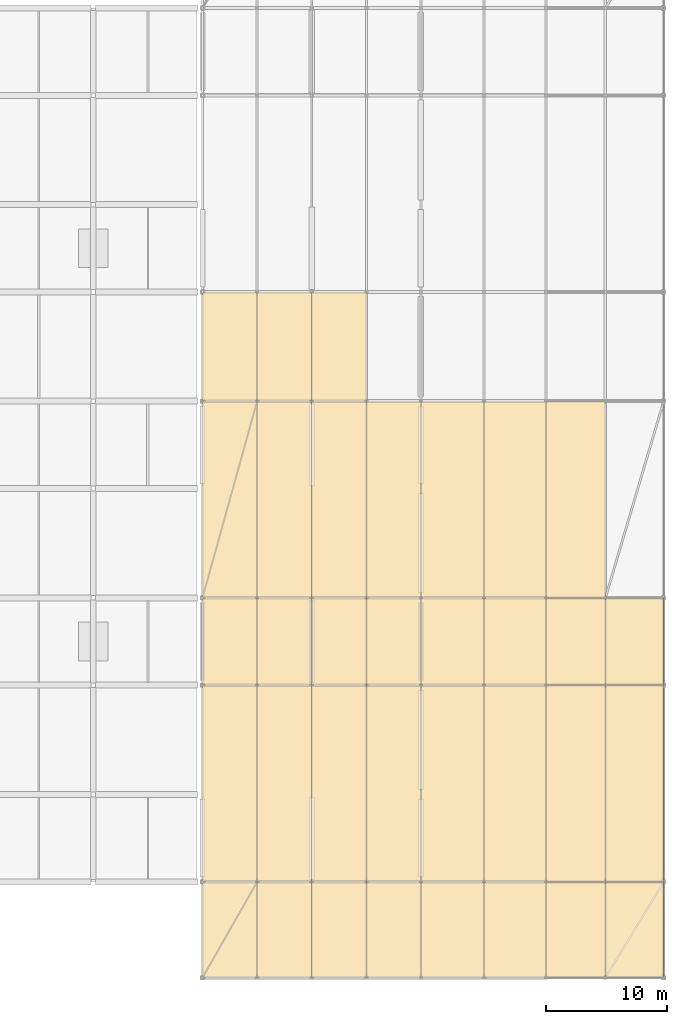
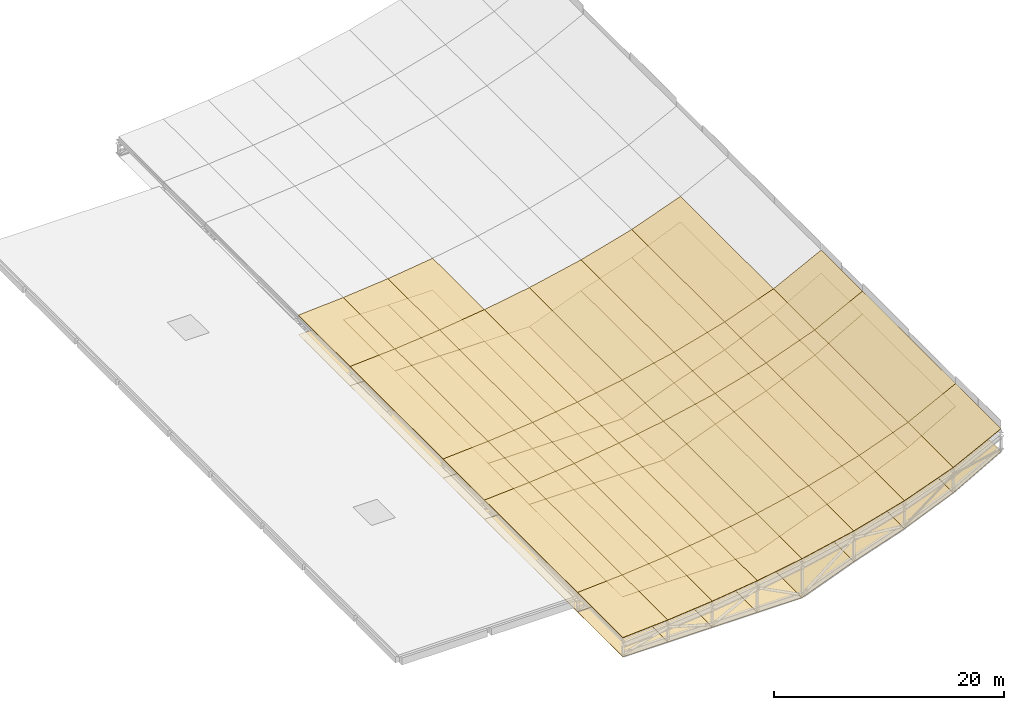
# One storey, part 23 of 24: 68 coverings, 2 elements without a shape of their own.
"""IFC4 building model written with IfcOpenShell, lengths in metres."""

from ifc_helpers import new_model, si_unit, direction, frame, origin, place, context, subcontext, project, spatial, polyline, outline, extrude, material, layer, layer_set, type_object, element, aggregate, save


model = new_model("IFC4")

# Units and contexts
model_context = context("Model", 3, precision=1e-05, world=origin(), true_north=direction((0.0, 1.0)))
body_context = subcontext(model_context, "Body", "Model", "MODEL_VIEW")
ifc_project = project(units=[si_unit("LENGTHUNIT", "METRE"), si_unit("AREAUNIT", "SQUARE_METRE"), si_unit("VOLUMEUNIT", "CUBIC_METRE"), si_unit("PLANEANGLEUNIT", "RADIAN"), si_unit("MASSUNIT", "GRAM", prefix="KILO"), si_unit("THERMODYNAMICTEMPERATUREUNIT", "KELVIN"), si_unit("POWERUNIT", "WATT")], contexts=[model_context])

# Site, building, storey
site_placement = place(None, origin())
site = spatial("IfcSite", under=ifc_project, at=site_placement, CompositionType="ELEMENT")
building_placement = place(site_placement, origin())
building = spatial("IfcBuilding", under=site, at=building_placement, Name="Sindhuravela Promenade Stadium", CompositionType="ELEMENT")
storey_placement = place(building_placement, frame((0.0, 0.0, 28.800048828125)))
storey = spatial("IfcBuildingStorey", under=building, at=storey_placement, Name="RF", CompositionType="ELEMENT", Elevation=28.800048828125)

# Roof, coverings
ifc_material_1 = material(Name="Standing-seam zinc-aluminium roof sheet", Category="aluminium")
roof_type = type_object("IfcRoofType", Name="RF-BARREL-W", PredefinedType="BARREL_ROOF", material=ifc_material_1)
roof_1_placement = place(storey_placement, origin())
roof_1 = element("IfcRoof", 1, at=roof_1_placement, inside=storey, type_object=roof_type, Name="Cantilevered stand roof assembly W-1", PredefinedType="BARREL_ROOF")
ifc_layer_1 = layer(ifc_material_1, 0.044921875)
ifc_layer_set_1 = layer_set([ifc_layer_1], Name="Standing-seam zinc-aluminium roof sheet")
covering_type_1 = type_object("IfcCoveringType", Name="CV-ROOF-W", PredefinedType="ROOFING", material=ifc_layer_set_1)
covering_1_placement = place(storey_placement, frame((18.0, 37.10009765625, 0.349853515625), z_axis=(-0.06507444958967683, 0.0, 0.9978804116779729), x_axis=(0.0, 1.0, 0.0)))
covering_1 = element("IfcCovering", 2, at=covering_1_placement, type_object=covering_type_1, Name="Standing-seam roof covering W bay 1.1", PredefinedType="ROOFING", context=body_context, shape_type="SweptSolid", body=[
    extrude(outline(polyline([(0.0, 0.0), (0.0, -4.509558407337692), (7.89990234375, -4.509558407337692), (7.89990234375, 0.0), (0.0, 0.0)])), origin(), (0.0, 0.0, -1.0), 0.044921875),
])
covering_2_placement = place(storey_placement, frame((22.5, 37.10009765625, 0.643310546875), z_axis=(-0.09628450096905211, 0.0, 0.9953538541007115), x_axis=(0.0, 1.0, 0.0)))
covering_2 = element("IfcCovering", 3, at=covering_2_placement, type_object=covering_type_1, Name="Standing-seam roof covering W bay 1.2", PredefinedType="ROOFING", context=body_context, shape_type="SweptSolid", body=[
    extrude(outline(polyline([(0.0, 0.0), (0.0, -4.521005250002962), (7.89990234375, -4.521005250002962), (7.89990234375, 0.0), (0.0, 0.0)])), origin(), (0.0, 0.0, -1.0), 0.044921875),
])
covering_3_placement = place(storey_placement, frame((27.0, 37.10009765625, 1.07861328125), z_axis=(-0.12985890910380446, 0.0, 0.9915324824363395), x_axis=(0.0, 1.0, 0.0)))
covering_3 = element("IfcCovering", 4, at=covering_3_placement, type_object=covering_type_1, Name="Standing-seam roof covering W bay 1.3", PredefinedType="ROOFING", context=body_context, shape_type="SweptSolid", body=[
    extrude(outline(polyline([(0.0, 0.0), (0.0, -4.538429229209765), (7.89990234375, -4.538429229209765), (7.89990234375, 0.0), (0.0, 0.0)])), origin(), (0.0, 0.0, -1.0), 0.044921875),
])
covering_4_placement = place(storey_placement, frame((31.5, 37.10009765625, 1.66796875), z_axis=(-0.16674069209504494, 0.0, 0.9860007817439422), x_axis=(0.0, 1.0, 0.0)))
covering_4 = element("IfcCovering", 5, at=covering_4_placement, type_object=covering_type_1, Name="Standing-seam roof covering W bay 1.4", PredefinedType="ROOFING", context=body_context, shape_type="SweptSolid", body=[
    extrude(outline(polyline([(0.0, 0.0), (0.0, -4.56389090487417), (7.89990234375, -4.56389090487417), (7.89990234375, 0.0), (0.0, 0.0)])), origin(), (0.0, 0.0, -1.0), 0.044921875),
])
covering_5_placement = place(storey_placement, frame((36.0, 37.10009765625, 2.428955078125), z_axis=(-0.21242012068609856, 0.0, 0.9771784342317955), x_axis=(0.0, 1.0, 0.0)))
covering_5 = element("IfcCovering", 6, at=covering_5_placement, type_object=covering_type_1, Name="Standing-seam roof covering W bay 1.5", PredefinedType="ROOFING", context=body_context, shape_type="SweptSolid", body=[
    extrude(outline(polyline([(0.0, 0.0), (0.0, -5.321393708369055), (7.89990234375, -5.321393708369055), (7.89990234375, 0.0), (0.0, 0.0)])), origin(), (0.0, 0.0, -1.0), 0.044921875),
])
covering_6_placement = place(storey_placement, frame((41.199951171875, 37.10009765625, 3.559326171875), z_axis=(-0.2712445701548118, 0.0, 0.9625104587283877), x_axis=(0.0, 1.0, 0.0)))
covering_6 = element("IfcCovering", 7, at=covering_6_placement, type_object=covering_type_1, Name="Standing-seam roof covering W bay 1.6", PredefinedType="ROOFING", context=body_context, shape_type="SweptSolid", body=[
    extrude(outline(polyline([(0.0, 0.0), (0.0, -5.298745182455419), (7.89990234375, -5.298745182455419), (7.89990234375, 0.0), (0.0, 0.0)])), origin(), (0.0, 0.0, -1.0), 0.044921875),
])
covering_7_placement = place(storey_placement, frame((46.300048828125, 37.10009765625, 4.99658203125), z_axis=(-0.34623168577076896, 0.0, 0.9381490392087665), x_axis=(0.0, 1.0, 0.0)))
covering_7 = element("IfcCovering", 8, at=covering_7_placement, type_object=covering_type_1, Name="Standing-seam roof covering W bay 1.7", PredefinedType="ROOFING", context=body_context, shape_type="SweptSolid", body=[
    extrude(outline(polyline([(0.0, 0.0), (0.0, -5.222946609722663), (7.89990234375, -5.222946609722663), (7.89990234375, 0.0), (0.0, 0.0)])), origin(), (0.0, 0.0, -1.0), 0.044921875),
])
covering_8_placement = place(storey_placement, frame((51.199951171875, 37.10009765625, 6.804931640625), z_axis=(-0.4531343199003089, 0.0, 0.8914422517070215), x_axis=(0.0, 1.0, 0.0)))
covering_8 = element("IfcCovering", 9, at=covering_8_placement, type_object=covering_type_1, Name="Standing-seam roof covering W bay 1.8", PredefinedType="ROOFING", context=body_context, shape_type="SweptSolid", body=[
    extrude(outline(polyline([(0.0, 0.0), (0.0, -5.384587525365097), (7.89990234375, -5.384587525365097), (7.89990234375, 0.0), (0.0, 0.0)])), origin(), (0.0, 0.0, -1.0), 0.044921875),
])
covering_9_placement = place(storey_placement, frame((18.0, 45.0, 0.349853515625), z_axis=(-0.06507444958967684, 0.0, 0.9978804116779729), x_axis=(0.0, 1.0, 0.0)))
covering_9 = element("IfcCovering", 10, at=covering_9_placement, type_object=covering_type_1, Name="Standing-seam roof covering W bay 2.1", PredefinedType="ROOFING", context=body_context, shape_type="SweptSolid", body=[
    extrude(outline(polyline([(0.0, 0.0), (0.0, -4.509558407337692), (16.199951171875, -4.509558407337692), (16.199951171875, 0.0), (0.0, 0.0)])), origin(), (0.0, 0.0, -1.0), 0.044921875),
])
covering_10_placement = place(storey_placement, frame((22.5, 45.0, 0.643310546875), z_axis=(-0.09628450096905211, 0.0, 0.9953538541007115), x_axis=(0.0, 1.0, 0.0)))
covering_10 = element("IfcCovering", 11, at=covering_10_placement, type_object=covering_type_1, Name="Standing-seam roof covering W bay 2.2", PredefinedType="ROOFING", context=body_context, shape_type="SweptSolid", body=[
    extrude(outline(polyline([(0.0, 0.0), (0.0, -4.521005250002962), (16.199951171875, -4.521005250002962), (16.199951171875, 0.0), (0.0, 0.0)])), origin(), (0.0, 0.0, -1.0), 0.044921875),
])
covering_11_placement = place(storey_placement, frame((27.0, 45.0, 1.07861328125), z_axis=(-0.12985890910380446, 0.0, 0.9915324824363395), x_axis=(0.0, 1.0, 0.0)))
covering_11 = element("IfcCovering", 12, at=covering_11_placement, type_object=covering_type_1, Name="Standing-seam roof covering W bay 2.3", PredefinedType="ROOFING", context=body_context, shape_type="SweptSolid", body=[
    extrude(outline(polyline([(0.0, 0.0), (0.0, -4.538429229209765), (16.199951171875, -4.538429229209765), (16.199951171875, 0.0), (0.0, 0.0)])), origin(), (0.0, 0.0, -1.0), 0.044921875),
])
covering_12_placement = place(storey_placement, frame((31.5, 45.0, 1.66796875), z_axis=(-0.16674069209504494, 0.0, 0.9860007817439425), x_axis=(0.0, 1.0, 0.0)))
covering_12 = element("IfcCovering", 13, at=covering_12_placement, type_object=covering_type_1, Name="Standing-seam roof covering W bay 2.4", PredefinedType="ROOFING", context=body_context, shape_type="SweptSolid", body=[
    extrude(outline(polyline([(0.0, 0.0), (0.0, -4.563890904874171), (16.199951171875, -4.563890904874171), (16.199951171875, 0.0), (0.0, 0.0)])), origin(), (0.0, 0.0, -1.0), 0.044921875),
])
covering_13_placement = place(storey_placement, frame((36.0, 45.0, 2.428955078125), z_axis=(-0.21242012068609856, 0.0, 0.9771784342317954), x_axis=(0.0, 1.0, 0.0)))
covering_13 = element("IfcCovering", 14, at=covering_13_placement, type_object=covering_type_1, Name="Standing-seam roof covering W bay 2.5", PredefinedType="ROOFING", context=body_context, shape_type="SweptSolid", body=[
    extrude(outline(polyline([(0.0, 0.0), (0.0, -5.321393708369055), (16.199951171875, -5.321393708369055), (16.199951171875, 0.0), (0.0, 0.0)])), origin(), (0.0, 0.0, -1.0), 0.044921875),
])
covering_14_placement = place(storey_placement, frame((41.199951171875, 45.0, 3.559326171875), z_axis=(-0.2712445701548118, 0.0, 0.9625104587283878), x_axis=(0.0, 1.0, 0.0)))
covering_14 = element("IfcCovering", 15, at=covering_14_placement, type_object=covering_type_1, Name="Standing-seam roof covering W bay 2.6", PredefinedType="ROOFING", context=body_context, shape_type="SweptSolid", body=[
    extrude(outline(polyline([(0.0, 0.0), (0.0, -5.29874518245542), (16.199951171875, -5.29874518245542), (16.199951171875, 0.0), (0.0, 0.0)])), origin(), (0.0, 0.0, -1.0), 0.044921875),
])
covering_15_placement = place(storey_placement, frame((46.300048828125, 45.0, 4.99658203125), z_axis=(-0.34623168577076896, 0.0, 0.9381490392087665), x_axis=(0.0, 1.0, 0.0)))
covering_15 = element("IfcCovering", 16, at=covering_15_placement, type_object=covering_type_1, Name="Standing-seam roof covering W bay 2.7", PredefinedType="ROOFING", context=body_context, shape_type="SweptSolid", body=[
    extrude(outline(polyline([(0.0, 0.0), (0.0, -5.222946609722663), (16.199951171875, -5.222946609722663), (16.199951171875, 0.0), (0.0, 0.0)])), origin(), (0.0, 0.0, -1.0), 0.044921875),
])
covering_16_placement = place(storey_placement, frame((51.199951171875, 45.0, 6.804931640625), z_axis=(-0.45313431990030884, 0.0, 0.8914422517070214), x_axis=(0.0, 1.0, 0.0)))
covering_16 = element("IfcCovering", 17, at=covering_16_placement, type_object=covering_type_1, Name="Standing-seam roof covering W bay 2.8", PredefinedType="ROOFING", context=body_context, shape_type="SweptSolid", body=[
    extrude(outline(polyline([(0.0, 0.0), (0.0, -5.384587525365096), (16.199951171875, -5.384587525365096), (16.199951171875, 0.0), (0.0, 0.0)])), origin(), (0.0, 0.0, -1.0), 0.044921875),
])
covering_17_placement = place(storey_placement, frame((18.0, 61.199951171875, 0.349853515625), z_axis=(-0.06507444958967683, 0.0, 0.9978804116779727), x_axis=(0.0, 1.0, 0.0)))
covering_17 = element("IfcCovering", 18, at=covering_17_placement, type_object=covering_type_1, Name="Standing-seam roof covering W bay 3.1", PredefinedType="ROOFING", context=body_context, shape_type="SweptSolid", body=[
    extrude(outline(polyline([(0.0, 0.0), (0.0, -4.509558407337691), (7.199951171875, -4.509558407337691), (7.199951171875, 0.0), (0.0, 0.0)])), origin(), (0.0, 0.0, -1.0), 0.044921875),
])
covering_18_placement = place(storey_placement, frame((22.5, 61.199951171875, 0.643310546875), z_axis=(-0.09628450096905211, 0.0, 0.9953538541007115), x_axis=(0.0, 1.0, 0.0)))
covering_18 = element("IfcCovering", 19, at=covering_18_placement, type_object=covering_type_1, Name="Standing-seam roof covering W bay 3.2", PredefinedType="ROOFING", context=body_context, shape_type="SweptSolid", body=[
    extrude(outline(polyline([(0.0, 0.0), (0.0, -4.521005250002962), (7.199951171875, -4.521005250002962), (7.199951171875, 0.0), (0.0, 0.0)])), origin(), (0.0, 0.0, -1.0), 0.044921875),
])
covering_19_placement = place(storey_placement, frame((27.0, 61.199951171875, 1.07861328125), z_axis=(-0.12985890910380446, 0.0, 0.9915324824363395), x_axis=(0.0, 1.0, 0.0)))
covering_19 = element("IfcCovering", 20, at=covering_19_placement, type_object=covering_type_1, Name="Standing-seam roof covering W bay 3.3", PredefinedType="ROOFING", context=body_context, shape_type="SweptSolid", body=[
    extrude(outline(polyline([(0.0, 0.0), (0.0, -4.538429229209765), (7.199951171875, -4.538429229209765), (7.199951171875, 0.0), (0.0, 0.0)])), origin(), (0.0, 0.0, -1.0), 0.044921875),
])
covering_20_placement = place(storey_placement, frame((31.5, 61.199951171875, 1.66796875), z_axis=(-0.16674069209504494, 0.0, 0.9860007817439423), x_axis=(0.0, 1.0, 0.0)))
covering_20 = element("IfcCovering", 21, at=covering_20_placement, type_object=covering_type_1, Name="Standing-seam roof covering W bay 3.4", PredefinedType="ROOFING", context=body_context, shape_type="SweptSolid", body=[
    extrude(outline(polyline([(0.0, 0.0), (0.0, -4.56389090487417), (7.199951171875, -4.56389090487417), (7.199951171875, 0.0), (0.0, 0.0)])), origin(), (0.0, 0.0, -1.0), 0.044921875),
])
covering_21_placement = place(storey_placement, frame((36.0, 61.199951171875, 2.428955078125), z_axis=(-0.21242012068609853, 0.0, 0.9771784342317954), x_axis=(0.0, 1.0, 0.0)))
covering_21 = element("IfcCovering", 22, at=covering_21_placement, type_object=covering_type_1, Name="Standing-seam roof covering W bay 3.5", PredefinedType="ROOFING", context=body_context, shape_type="SweptSolid", body=[
    extrude(outline(polyline([(0.0, 0.0), (0.0, -5.321393708369055), (7.199951171875, -5.321393708369055), (7.199951171875, 0.0), (0.0, 0.0)])), origin(), (0.0, 0.0, -1.0), 0.044921875),
])
covering_22_placement = place(storey_placement, frame((41.199951171875, 61.199951171875, 3.559326171875), z_axis=(-0.2712445701548118, 0.0, 0.9625104587283877), x_axis=(0.0, 1.0, 0.0)))
covering_22 = element("IfcCovering", 23, at=covering_22_placement, type_object=covering_type_1, Name="Standing-seam roof covering W bay 3.6", PredefinedType="ROOFING", context=body_context, shape_type="SweptSolid", body=[
    extrude(outline(polyline([(0.0, 0.0), (0.0, -5.298745182455419), (7.199951171875, -5.298745182455419), (7.199951171875, 0.0), (0.0, 0.0)])), origin(), (0.0, 0.0, -1.0), 0.044921875),
])
covering_23_placement = place(storey_placement, frame((46.300048828125, 61.199951171875, 4.99658203125), z_axis=(-0.34623168577076896, 0.0, 0.9381490392087665), x_axis=(0.0, 1.0, 0.0)))
covering_23 = element("IfcCovering", 24, at=covering_23_placement, type_object=covering_type_1, Name="Standing-seam roof covering W bay 3.7", PredefinedType="ROOFING", context=body_context, shape_type="SweptSolid", body=[
    extrude(outline(polyline([(0.0, 0.0), (0.0, -5.222946609722663), (7.199951171875, -5.222946609722663), (7.199951171875, 0.0), (0.0, 0.0)])), origin(), (0.0, 0.0, -1.0), 0.044921875),
])
covering_24_placement = place(storey_placement, frame((51.199951171875, 61.199951171875, 6.804931640625), z_axis=(-0.4531343199003089, 0.0, 0.8914422517070215), x_axis=(0.0, 1.0, 0.0)))
covering_24 = element("IfcCovering", 25, at=covering_24_placement, type_object=covering_type_1, Name="Standing-seam roof covering W bay 3.8", PredefinedType="ROOFING", context=body_context, shape_type="SweptSolid", body=[
    extrude(outline(polyline([(0.0, 0.0), (0.0, -5.384587525365097), (7.199951171875, -5.384587525365097), (7.199951171875, 0.0), (0.0, 0.0)])), origin(), (0.0, 0.0, -1.0), 0.044921875),
])
covering_25_placement = place(storey_placement, frame((18.0, 68.39990234375, 0.349853515625), z_axis=(-0.06507444958967683, 0.0, 0.9978804116779729), x_axis=(0.0, 1.0, 0.0)))
covering_25 = element("IfcCovering", 26, at=covering_25_placement, type_object=covering_type_1, Name="Standing-seam roof covering W bay 4.1", PredefinedType="ROOFING", context=body_context, shape_type="SweptSolid", body=[
    extrude(outline(polyline([(0.0, 0.0), (0.0, -4.509558407337692), (16.2001953125, -4.509558407337692), (16.2001953125, 0.0), (0.0, 0.0)])), origin(), (0.0, 0.0, -1.0), 0.044921875),
])
covering_26_placement = place(storey_placement, frame((22.5, 68.39990234375, 0.643310546875), z_axis=(-0.09628450096905213, 0.0, 0.9953538541007115), x_axis=(0.0, 1.0, 0.0)))
covering_26 = element("IfcCovering", 27, at=covering_26_placement, type_object=covering_type_1, Name="Standing-seam roof covering W bay 4.2", PredefinedType="ROOFING", context=body_context, shape_type="SweptSolid", body=[
    extrude(outline(polyline([(0.0, 0.0), (0.0, -4.521005250002962), (16.2001953125, -4.521005250002962), (16.2001953125, 0.0), (0.0, 0.0)])), origin(), (0.0, 0.0, -1.0), 0.044921875),
])
covering_27_placement = place(storey_placement, frame((27.0, 68.39990234375, 1.07861328125), z_axis=(-0.12985890910380443, 0.0, 0.9915324824363395), x_axis=(0.0, 1.0, 0.0)))
covering_27 = element("IfcCovering", 28, at=covering_27_placement, type_object=covering_type_1, Name="Standing-seam roof covering W bay 4.3", PredefinedType="ROOFING", context=body_context, shape_type="SweptSolid", body=[
    extrude(outline(polyline([(0.0, 0.0), (0.0, -4.538429229209765), (16.2001953125, -4.538429229209765), (16.2001953125, 0.0), (0.0, 0.0)])), origin(), (0.0, 0.0, -1.0), 0.044921875),
])
covering_28_placement = place(storey_placement, frame((31.5, 68.39990234375, 1.66796875), z_axis=(-0.16674069209504494, 0.0, 0.9860007817439423), x_axis=(0.0, 1.0, 0.0)))
covering_28 = element("IfcCovering", 29, at=covering_28_placement, type_object=covering_type_1, Name="Standing-seam roof covering W bay 4.4", PredefinedType="ROOFING", context=body_context, shape_type="SweptSolid", body=[
    extrude(outline(polyline([(0.0, 0.0), (0.0, -4.56389090487417), (16.2001953125, -4.56389090487417), (16.2001953125, 0.0), (0.0, 0.0)])), origin(), (0.0, 0.0, -1.0), 0.044921875),
])
covering_29_placement = place(storey_placement, frame((36.0, 68.39990234375, 2.428955078125), z_axis=(-0.21242012068609856, 0.0, 0.9771784342317955), x_axis=(0.0, 1.0, 0.0)))
covering_29 = element("IfcCovering", 30, at=covering_29_placement, type_object=covering_type_1, Name="Standing-seam roof covering W bay 4.5", PredefinedType="ROOFING", context=body_context, shape_type="SweptSolid", body=[
    extrude(outline(polyline([(0.0, 0.0), (0.0, -5.321393708369055), (16.2001953125, -5.321393708369055), (16.2001953125, 0.0), (0.0, 0.0)])), origin(), (0.0, 0.0, -1.0), 0.044921875),
])
covering_30_placement = place(storey_placement, frame((41.199951171875, 68.39990234375, 3.559326171875), z_axis=(-0.2712445701548118, 0.0, 0.9625104587283878), x_axis=(0.0, 1.0, 0.0)))
covering_30 = element("IfcCovering", 31, at=covering_30_placement, type_object=covering_type_1, Name="Standing-seam roof covering W bay 4.6", PredefinedType="ROOFING", context=body_context, shape_type="SweptSolid", body=[
    extrude(outline(polyline([(0.0, 0.0), (0.0, -5.29874518245542), (16.2001953125, -5.29874518245542), (16.2001953125, 0.0), (0.0, 0.0)])), origin(), (0.0, 0.0, -1.0), 0.044921875),
])
covering_31_placement = place(storey_placement, frame((46.300048828125, 68.39990234375, 4.99658203125), z_axis=(-0.34623168577076896, 0.0, 0.9381490392087665), x_axis=(0.0, 1.0, 0.0)))
covering_31 = element("IfcCovering", 32, at=covering_31_placement, type_object=covering_type_1, Name="Standing-seam roof covering W bay 4.7", PredefinedType="ROOFING", context=body_context, shape_type="SweptSolid", body=[
    extrude(outline(polyline([(0.0, 0.0), (0.0, -5.222946609722663), (16.2001953125, -5.222946609722663), (16.2001953125, 0.0), (0.0, 0.0)])), origin(), (0.0, 0.0, -1.0), 0.044921875),
])
aggregate(roof_1, [covering_1, covering_2, covering_3, covering_4, covering_5, covering_6, covering_7, covering_8, covering_9, covering_10, covering_11, covering_12, covering_13, covering_14, covering_15, covering_16, covering_17, covering_18, covering_19, covering_20, covering_21, covering_22, covering_23, covering_24, covering_25, covering_26, covering_27, covering_28, covering_29, covering_30, covering_31])

roof_2_placement = place(storey_placement, origin())
roof_2 = element("IfcRoof", 33, at=roof_2_placement, inside=storey, type_object=roof_type, Name="Cantilevered stand roof assembly W-2", PredefinedType="BARREL_ROOF")
covering_32_placement = place(storey_placement, frame((18.0, 84.60009765625, 0.349853515625), z_axis=(-0.06507444958967684, 0.0, 0.9978804116779729), x_axis=(0.0, 1.0, 0.0)))
covering_32 = element("IfcCovering", 34, at=covering_32_placement, type_object=covering_type_1, Name="Standing-seam roof covering W bay 5.1", PredefinedType="ROOFING", context=body_context, shape_type="SweptSolid", body=[
    extrude(outline(polyline([(0.0, 0.0), (0.0, -4.509558407337692), (9.0, -4.509558407337692), (9.0, 0.0), (0.0, 0.0)])), origin(), (0.0, 0.0, -1.0), 0.044921875),
])
covering_33_placement = place(storey_placement, frame((22.5, 84.60009765625, 0.643310546875), z_axis=(-0.09628450096905211, 0.0, 0.9953538541007115), x_axis=(0.0, 1.0, 0.0)))
covering_33 = element("IfcCovering", 35, at=covering_33_placement, type_object=covering_type_1, Name="Standing-seam roof covering W bay 5.2", PredefinedType="ROOFING", context=body_context, shape_type="SweptSolid", body=[
    extrude(outline(polyline([(0.0, 0.0), (0.0, -4.521005250002962), (9.0, -4.521005250002962), (9.0, 0.0), (0.0, 0.0)])), origin(), (0.0, 0.0, -1.0), 0.044921875),
])
covering_34_placement = place(storey_placement, frame((27.0, 84.60009765625, 1.07861328125), z_axis=(-0.12985890910380446, 0.0, 0.9915324824363395), x_axis=(0.0, 1.0, 0.0)))
covering_34 = element("IfcCovering", 36, at=covering_34_placement, type_object=covering_type_1, Name="Standing-seam roof covering W bay 5.3", PredefinedType="ROOFING", context=body_context, shape_type="SweptSolid", body=[
    extrude(outline(polyline([(0.0, 0.0), (0.0, -4.538429229209765), (9.0, -4.538429229209765), (9.0, 0.0), (0.0, 0.0)])), origin(), (0.0, 0.0, -1.0), 0.044921875),
])
aggregate(roof_2, [covering_32, covering_33, covering_34])

# Coverings
ifc_material_2 = material(Name="White PVDF aluminium soffit cladding", Category="aluminium")
ifc_layer_2 = layer(ifc_material_2, 0.034912109375)
ifc_layer_set_2 = layer_set([ifc_layer_2], Name="White PVDF aluminium soffit cladding")
covering_type_2 = type_object("IfcCoveringType", Name="CV-SOFFIT-W", PredefinedType="CEILING", material=ifc_layer_set_2)
for number, where, z_axis, x_axis, name in (
    (37, (18.0, 37.10009765625, -1.699951171875), (0.0, 0.0, 1.0), (0.0, 1.0, 0.0), "Smooth white canopy soffit cladding W bay 1.1"),
    (38, (22.5, 37.10009765625, -1.699951171875), (0.0, 0.0, 1.0), (0.0, 1.0, 0.0), "Smooth white canopy soffit cladding W bay 1.2"),
    (39, (27.0, 37.10009765625, -1.699951171875), (0.0, 0.0, 1.0), (0.0, 1.0, 0.0), "Smooth white canopy soffit cladding W bay 1.3"),
    (40, (31.5, 37.10009765625, -1.699951171875), (0.0, 0.0, 1.0), (0.0, 1.0, 0.0), "Smooth white canopy soffit cladding W bay 1.4"),
):
    element("IfcCovering", number, at=place(storey_placement, frame(where, z_axis=z_axis, x_axis=x_axis)), inside=storey, type_object=covering_type_2, Name=name, PredefinedType="CEILING", context=body_context, shape_type="SweptSolid", body=[
        extrude(outline(polyline([(0.0, 0.0), (0.0, -4.5), (7.89990234375, -4.5), (7.89990234375, 0.0), (0.0, 0.0)])), origin(), (0.0, 0.0, -1.0), 0.034912109375),
    ])
covering_35_placement = place(storey_placement, frame((36.0, 37.10009765625, -1.699951171875), z_axis=(-0.3592491890132392, 0.0, 0.9332416729836542), x_axis=(0.0, 1.0, 0.0)))
element("IfcCovering", 41, at=covering_35_placement, inside=storey, type_object=covering_type_2, Name="Smooth white canopy soffit cladding W bay 1.5", PredefinedType="CEILING", context=body_context, shape_type="SweptSolid", body=[
    extrude(outline(polyline([(0.0, 0.0), (0.0, -5.571923460351172), (7.89990234375, -5.571923460351172), (7.89990234375, 0.0), (0.0, 0.0)])), origin(), (0.0, 0.0, -1.0), 0.034912109375),
])
covering_36_placement = place(storey_placement, frame((41.199951171875, 37.10009765625, 0.3017578125), z_axis=(-0.3202518735151854, 0.0, 0.9473324324174771), x_axis=(0.0, 1.0, 0.0)))
element("IfcCovering", 42, at=covering_36_placement, inside=storey, type_object=covering_type_2, Name="Smooth white canopy soffit cladding W bay 1.6", PredefinedType="CEILING", context=body_context, shape_type="SweptSolid", body=[
    extrude(outline(polyline([(0.0, 0.0), (0.0, -5.383640928702475), (7.89990234375, -5.383640928702475), (7.89990234375, 0.0), (0.0, 0.0)])), origin(), (0.0, 0.0, -1.0), 0.034912109375),
])
covering_37_placement = place(storey_placement, frame((46.300048828125, 37.10009765625, 2.02587890625), z_axis=(-0.39142217894417647, 0.0, 0.9202112137061756), x_axis=(0.0, 1.0, 0.0)))
element("IfcCovering", 43, at=covering_37_placement, inside=storey, type_object=covering_type_2, Name="Smooth white canopy soffit cladding W bay 1.7", PredefinedType="CEILING", context=body_context, shape_type="SweptSolid", body=[
    extrude(outline(polyline([(0.0, 0.0), (0.0, -5.324758349787446), (7.89990234375, -5.324758349787446), (7.89990234375, 0.0), (0.0, 0.0)])), origin(), (0.0, 0.0, -1.0), 0.034912109375),
])
covering_38_placement = place(storey_placement, frame((51.199951171875, 37.10009765625, 4.110107421875), z_axis=(-0.49162958021107567, 0.0, 0.8708044303180142), x_axis=(0.0, 1.0, 0.0)))
element("IfcCovering", 44, at=covering_38_placement, inside=storey, type_object=covering_type_2, Name="Smooth white canopy soffit cladding W bay 1.8", PredefinedType="CEILING", context=body_context, shape_type="SweptSolid", body=[
    extrude(outline(polyline([(0.0, 0.0), (0.0, -5.512200743365581), (7.89990234375, -5.512200743365581), (7.89990234375, 0.0), (0.0, 0.0)])), origin(), (0.0, 0.0, -1.0), 0.034912109375),
])
for number, where, z_axis, x_axis, name in (
    (45, (18.0, 45.0, -1.699951171875), (0.0, 0.0, 1.0), (0.0, 1.0, 0.0), "Smooth white canopy soffit cladding W bay 2.1"),
    (46, (22.5, 45.0, -1.699951171875), (0.0, 0.0, 1.0), (0.0, 1.0, 0.0), "Smooth white canopy soffit cladding W bay 2.2"),
    (47, (27.0, 45.0, -1.699951171875), (0.0, 0.0, 1.0), (0.0, 1.0, 0.0), "Smooth white canopy soffit cladding W bay 2.3"),
    (48, (31.5, 45.0, -1.699951171875), (0.0, 0.0, 1.0), (0.0, 1.0, 0.0), "Smooth white canopy soffit cladding W bay 2.4"),
):
    element("IfcCovering", number, at=place(storey_placement, frame(where, z_axis=z_axis, x_axis=x_axis)), inside=storey, type_object=covering_type_2, Name=name, PredefinedType="CEILING", context=body_context, shape_type="SweptSolid", body=[
        extrude(outline(polyline([(0.0, 0.0), (0.0, -4.5), (16.199951171875, -4.5), (16.199951171875, 0.0), (0.0, 0.0)])), origin(), (0.0, 0.0, -1.0), 0.034912109375),
    ])
covering_39_placement = place(storey_placement, frame((36.0, 45.0, -1.699951171875), z_axis=(-0.35924918901323916, 0.0, 0.9332416729836542), x_axis=(0.0, 1.0, 0.0)))
element("IfcCovering", 49, at=covering_39_placement, inside=storey, type_object=covering_type_2, Name="Smooth white canopy soffit cladding W bay 2.5", PredefinedType="CEILING", context=body_context, shape_type="SweptSolid", body=[
    extrude(outline(polyline([(0.0, 0.0), (0.0, -5.571923460351171), (16.199951171875, -5.571923460351171), (16.199951171875, 0.0), (0.0, 0.0)])), origin(), (0.0, 0.0, -1.0), 0.034912109375),
])
covering_40_placement = place(storey_placement, frame((41.199951171875, 45.0, 0.3017578125), z_axis=(-0.3202518735151854, 0.0, 0.947332432417477), x_axis=(0.0, 1.0, 0.0)))
element("IfcCovering", 50, at=covering_40_placement, inside=storey, type_object=covering_type_2, Name="Smooth white canopy soffit cladding W bay 2.6", PredefinedType="CEILING", context=body_context, shape_type="SweptSolid", body=[
    extrude(outline(polyline([(0.0, 0.0), (0.0, -5.383640928702474), (16.199951171875, -5.383640928702474), (16.199951171875, 0.0), (0.0, 0.0)])), origin(), (0.0, 0.0, -1.0), 0.034912109375),
])
covering_41_placement = place(storey_placement, frame((46.300048828125, 45.0, 2.02587890625), z_axis=(-0.3914221789441765, 0.0, 0.9202112137061758), x_axis=(0.0, 1.0, 0.0)))
element("IfcCovering", 51, at=covering_41_placement, inside=storey, type_object=covering_type_2, Name="Smooth white canopy soffit cladding W bay 2.7", PredefinedType="CEILING", context=body_context, shape_type="SweptSolid", body=[
    extrude(outline(polyline([(0.0, 0.0), (0.0, -5.324758349787447), (16.199951171875, -5.324758349787447), (16.199951171875, 0.0), (0.0, 0.0)])), origin(), (0.0, 0.0, -1.0), 0.034912109375),
])
covering_42_placement = place(storey_placement, frame((51.199951171875, 45.0, 4.110107421875), z_axis=(-0.4916295802110757, 0.0, 0.8708044303180144), x_axis=(0.0, 1.0, 0.0)))
element("IfcCovering", 52, at=covering_42_placement, inside=storey, type_object=covering_type_2, Name="Smooth white canopy soffit cladding W bay 2.8", PredefinedType="CEILING", context=body_context, shape_type="SweptSolid", body=[
    extrude(outline(polyline([(0.0, 0.0), (0.0, -5.512200743365581), (16.199951171875, -5.512200743365581), (16.199951171875, 0.0), (0.0, 0.0)])), origin(), (0.0, 0.0, -1.0), 0.034912109375),
])
for number, where, z_axis, x_axis, name in (
    (53, (18.0, 61.199951171875, -1.699951171875), (0.0, 0.0, 1.0), (0.0, 1.0, 0.0), "Smooth white canopy soffit cladding W bay 3.1"),
    (54, (22.5, 61.199951171875, -1.699951171875), (0.0, 0.0, 1.0), (0.0, 1.0, 0.0), "Smooth white canopy soffit cladding W bay 3.2"),
    (55, (27.0, 61.199951171875, -1.699951171875), (0.0, 0.0, 1.0), (0.0, 1.0, 0.0), "Smooth white canopy soffit cladding W bay 3.3"),
    (56, (31.5, 61.199951171875, -1.699951171875), (0.0, 0.0, 1.0), (0.0, 1.0, 0.0), "Smooth white canopy soffit cladding W bay 3.4"),
):
    element("IfcCovering", number, at=place(storey_placement, frame(where, z_axis=z_axis, x_axis=x_axis)), inside=storey, type_object=covering_type_2, Name=name, PredefinedType="CEILING", context=body_context, shape_type="SweptSolid", body=[
        extrude(outline(polyline([(0.0, 0.0), (0.0, -4.5), (7.199951171875, -4.5), (7.199951171875, 0.0), (0.0, 0.0)])), origin(), (0.0, 0.0, -1.0), 0.034912109375),
    ])
covering_43_placement = place(storey_placement, frame((36.0, 61.199951171875, -1.699951171875), z_axis=(-0.3592491890132392, 0.0, 0.9332416729836543), x_axis=(0.0, 1.0, 0.0)))
element("IfcCovering", 57, at=covering_43_placement, inside=storey, type_object=covering_type_2, Name="Smooth white canopy soffit cladding W bay 3.5", PredefinedType="CEILING", context=body_context, shape_type="SweptSolid", body=[
    extrude(outline(polyline([(0.0, 0.0), (0.0, -5.571923460351172), (7.199951171875, -5.571923460351172), (7.199951171875, 0.0), (0.0, 0.0)])), origin(), (0.0, 0.0, -1.0), 0.034912109375),
])
covering_44_placement = place(storey_placement, frame((41.199951171875, 61.199951171875, 0.3017578125), z_axis=(-0.32025187351518536, 0.0, 0.947332432417477), x_axis=(0.0, 1.0, 0.0)))
element("IfcCovering", 58, at=covering_44_placement, inside=storey, type_object=covering_type_2, Name="Smooth white canopy soffit cladding W bay 3.6", PredefinedType="CEILING", context=body_context, shape_type="SweptSolid", body=[
    extrude(outline(polyline([(0.0, 0.0), (0.0, -5.383640928702474), (7.199951171875, -5.383640928702474), (7.199951171875, 0.0), (0.0, 0.0)])), origin(), (0.0, 0.0, -1.0), 0.034912109375),
])
covering_45_placement = place(storey_placement, frame((46.300048828125, 61.199951171875, 2.02587890625), z_axis=(-0.3914221789441765, 0.0, 0.9202112137061758), x_axis=(0.0, 1.0, 0.0)))
element("IfcCovering", 59, at=covering_45_placement, inside=storey, type_object=covering_type_2, Name="Smooth white canopy soffit cladding W bay 3.7", PredefinedType="CEILING", context=body_context, shape_type="SweptSolid", body=[
    extrude(outline(polyline([(0.0, 0.0), (0.0, -5.324758349787447), (7.199951171875, -5.324758349787447), (7.199951171875, 0.0), (0.0, 0.0)])), origin(), (0.0, 0.0, -1.0), 0.034912109375),
])
covering_46_placement = place(storey_placement, frame((51.199951171875, 61.199951171875, 4.110107421875), z_axis=(-0.4916295802110757, 0.0, 0.8708044303180145), x_axis=(0.0, 1.0, 0.0)))
element("IfcCovering", 60, at=covering_46_placement, inside=storey, type_object=covering_type_2, Name="Smooth white canopy soffit cladding W bay 3.8", PredefinedType="CEILING", context=body_context, shape_type="SweptSolid", body=[
    extrude(outline(polyline([(0.0, 0.0), (0.0, -5.5122007433655815), (7.199951171875, -5.5122007433655815), (7.199951171875, 0.0), (0.0, 0.0)])), origin(), (0.0, 0.0, -1.0), 0.034912109375),
])
for number, where, z_axis, x_axis, name in (
    (61, (18.0, 68.39990234375, -1.699951171875), (0.0, 0.0, 1.0), (0.0, 1.0, 0.0), "Smooth white canopy soffit cladding W bay 4.1"),
    (62, (22.5, 68.39990234375, -1.699951171875), (0.0, 0.0, 1.0), (0.0, 1.0, 0.0), "Smooth white canopy soffit cladding W bay 4.2"),
    (63, (27.0, 68.39990234375, -1.699951171875), (0.0, 0.0, 1.0), (0.0, 1.0, 0.0), "Smooth white canopy soffit cladding W bay 4.3"),
    (64, (31.5, 68.39990234375, -1.699951171875), (0.0, 0.0, 1.0), (0.0, 1.0, 0.0), "Smooth white canopy soffit cladding W bay 4.4"),
):
    element("IfcCovering", number, at=place(storey_placement, frame(where, z_axis=z_axis, x_axis=x_axis)), inside=storey, type_object=covering_type_2, Name=name, PredefinedType="CEILING", context=body_context, shape_type="SweptSolid", body=[
        extrude(outline(polyline([(0.0, 0.0), (0.0, -4.5), (16.2001953125, -4.5), (16.2001953125, 0.0), (0.0, 0.0)])), origin(), (0.0, 0.0, -1.0), 0.034912109375),
    ])
covering_47_placement = place(storey_placement, frame((36.0, 68.39990234375, -1.699951171875), z_axis=(-0.3592491890132392, 0.0, 0.9332416729836543), x_axis=(0.0, 1.0, 0.0)))
element("IfcCovering", 65, at=covering_47_placement, inside=storey, type_object=covering_type_2, Name="Smooth white canopy soffit cladding W bay 4.5", PredefinedType="CEILING", context=body_context, shape_type="SweptSolid", body=[
    extrude(outline(polyline([(0.0, 0.0), (0.0, -5.571923460351172), (16.2001953125, -5.571923460351172), (16.2001953125, 0.0), (0.0, 0.0)])), origin(), (0.0, 0.0, -1.0), 0.034912109375),
])
covering_48_placement = place(storey_placement, frame((41.199951171875, 68.39990234375, 0.3017578125), z_axis=(-0.3202518735151854, 0.0, 0.9473324324174771), x_axis=(0.0, 1.0, 0.0)))
element("IfcCovering", 66, at=covering_48_placement, inside=storey, type_object=covering_type_2, Name="Smooth white canopy soffit cladding W bay 4.6", PredefinedType="CEILING", context=body_context, shape_type="SweptSolid", body=[
    extrude(outline(polyline([(0.0, 0.0), (0.0, -5.383640928702475), (16.2001953125, -5.383640928702475), (16.2001953125, 0.0), (0.0, 0.0)])), origin(), (0.0, 0.0, -1.0), 0.034912109375),
])
covering_49_placement = place(storey_placement, frame((46.300048828125, 68.39990234375, 2.02587890625), z_axis=(-0.3914221789441765, 0.0, 0.9202112137061758), x_axis=(0.0, 1.0, 0.0)))
element("IfcCovering", 67, at=covering_49_placement, inside=storey, type_object=covering_type_2, Name="Smooth white canopy soffit cladding W bay 4.7", PredefinedType="CEILING", context=body_context, shape_type="SweptSolid", body=[
    extrude(outline(polyline([(0.0, 0.0), (0.0, -5.324758349787447), (16.2001953125, -5.324758349787447), (16.2001953125, 0.0), (0.0, 0.0)])), origin(), (0.0, 0.0, -1.0), 0.034912109375),
])
for number, where, z_axis, x_axis, name in (
    (68, (18.0, 84.60009765625, -1.699951171875), (0.0, 0.0, 1.0), (0.0, 1.0, 0.0), "Smooth white canopy soffit cladding W bay 5.1"),
    (69, (22.5, 84.60009765625, -1.699951171875), (0.0, 0.0, 1.0), (0.0, 1.0, 0.0), "Smooth white canopy soffit cladding W bay 5.2"),
    (70, (27.0, 84.60009765625, -1.699951171875), (0.0, 0.0, 1.0), (0.0, 1.0, 0.0), "Smooth white canopy soffit cladding W bay 5.3"),
):
    element("IfcCovering", number, at=place(storey_placement, frame(where, z_axis=z_axis, x_axis=x_axis)), inside=storey, type_object=covering_type_2, Name=name, PredefinedType="CEILING", context=body_context, shape_type="SweptSolid", body=[
        extrude(outline(polyline([(0.0, 0.0), (0.0, -4.5), (9.0, -4.5), (9.0, 0.0), (0.0, 0.0)])), origin(), (0.0, 0.0, -1.0), 0.034912109375),
    ])

save(model, "model.ifc")
